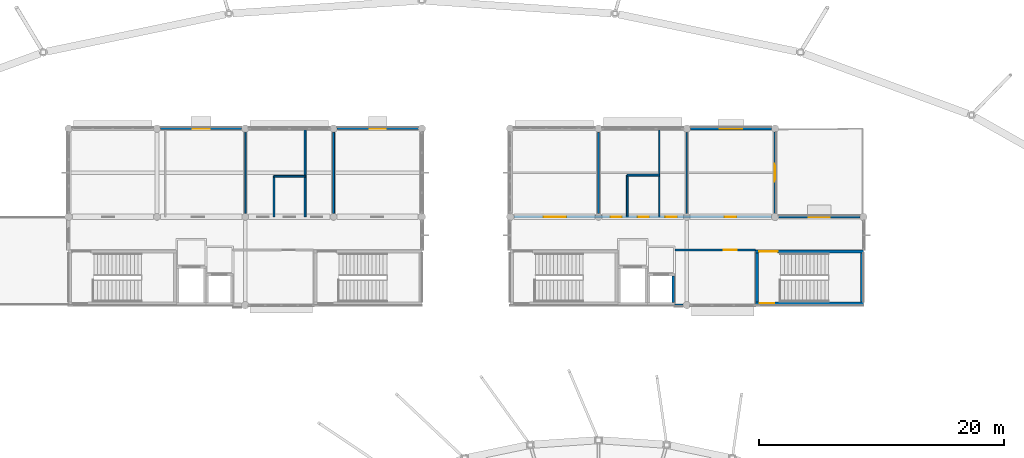
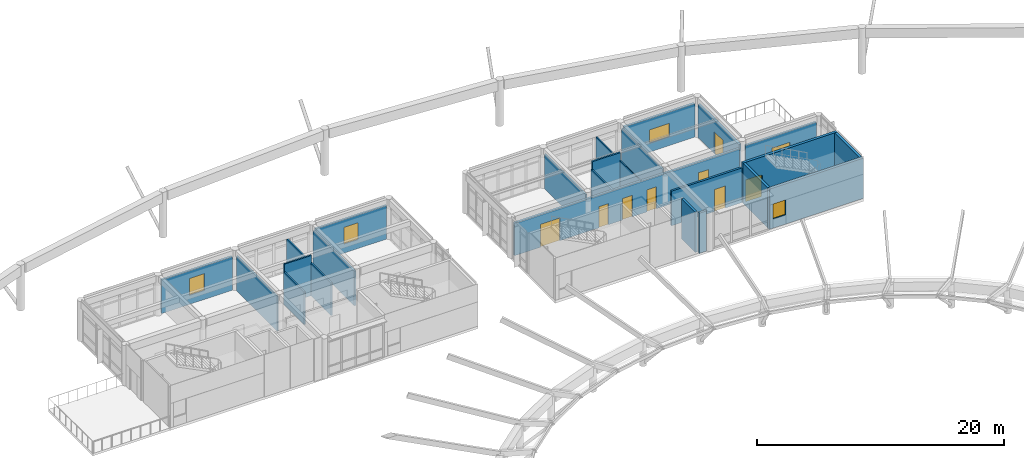
# One storey, part 25 of 37: 23 walls, 8 doors, 5 windows, 13 openings.
"""IFC4 building model written with IfcOpenShell, lengths in metres."""

from ifc_helpers import new_model, si_unit, direction, frame, frame_2d, origin, place, context, subcontext, project, spatial, rectangle, extrude, material, layer, layer_set, type_object, element, fill, save


model = new_model("IFC4")

# Units and contexts
model_context = context("Model", 3, precision=1e-05, world=origin(), true_north=direction((0.0, 1.0)))
body_context = subcontext(model_context, "Body", "Model", "MODEL_VIEW")
ifc_project = project(units=[si_unit("LENGTHUNIT", "METRE"), si_unit("AREAUNIT", "SQUARE_METRE"), si_unit("VOLUMEUNIT", "CUBIC_METRE"), si_unit("PLANEANGLEUNIT", "RADIAN"), si_unit("MASSUNIT", "GRAM", prefix="KILO")], contexts=[model_context])

# Site, building, storey
site_placement = place(None, origin())
site = spatial("IfcSite", under=ifc_project, at=site_placement, CompositionType="ELEMENT")
building_placement = place(site_placement, origin())
building = spatial("IfcBuilding", under=site, at=building_placement, Name="Namkhue Oval Health Centre", CompositionType="ELEMENT")
storey_placement = place(building_placement, frame((0.0, 0.0, 22.199951171875)))
storey = spatial("IfcBuildingStorey", under=building, at=storey_placement, Name="L05", CompositionType="ELEMENT", Elevation=22.199951171875)

# Wall, opening, window
ifc_material_1 = material(Name="Autoclaved aerated concrete blockwork M7.5", Category="masonry")
ifc_layer_1 = layer(ifc_material_1, 0.179931640625)
ifc_layer_set_1 = layer_set([ifc_layer_1], Name="Autoclaved aerated concrete blockwork M7.5")
wall_type_1 = type_object("IfcWallType", Name="EXTERIOR ENVELOPE WALL 180", PredefinedType="STANDARD", material=ifc_layer_set_1)
wall_1_placement = place(storey_placement, frame((86.10498046875, 104.39990234375, 0.0), z_axis=(0.0, 0.0, 1.0), x_axis=(-1.0, 0.0, 0.0)))
wall_1 = element("IfcWall", 1, at=wall_1_placement, inside=storey, type_object=wall_type_1, Name="Volume V2 L05 Exterior Envelope Wall 49", PredefinedType="STANDARD", context=body_context, shape_type="SweptSolid", body=[
    extrude(rectangle(XDim=6.60986328125, YDim=0.179931640625, at=frame_2d((3.304931640625, 0.0))), origin(), (0.0, 0.0, 1.0), 3.324951171875),
])
opening_1_placement = place(wall_1_placement, frame((2.655029296875, 0.0, 0.89990234375)))
opening_1 = element("IfcOpeningElement", 2, at=opening_1_placement, cuts=wall_1, Name="Opening WN-32", PredefinedType="OPENING", context=body_context, shape_type="SweptSolid", body=[
    extrude(rectangle(XDim=1.300048828125, YDim=1.659912109375, at=frame_2d((0.64990234375, 0.830078125))), frame((0.0, 0.099853515625, 0.0), z_axis=(0.0, -1.0, 0.0), x_axis=(1.0, 0.0, 0.0)), (0.0, 0.0, 1.0), 0.199951171875),
])
ifc_material_2 = material(Name="Thermally broken low-E laminated double glazing", Category="glass")
window_type_1 = type_object("IfcWindowType", Name="EXTERIOR WINDOW 1300X1660", PartitioningType="SINGLE_PANEL", PredefinedType="WINDOW", material=ifc_material_2)
window_1_placement = place(opening_1_placement, origin())
window_1 = element("IfcWindow", 3, at=window_1_placement, inside=storey, type_object=window_type_1, Name="Volume V2 L05 Exterior Window 32", OverallHeight=1.659912109375, OverallWidth=1.300048828125, PartitioningType="SINGLE_PANEL", PredefinedType="WINDOW", context=body_context, shape_type="SweptSolid", body=[
    extrude(rectangle(XDim=1.300048828125, YDim=1.659912109375, at=frame_2d((0.64990234375, 0.830078125))), frame((0.0, 0.030029296875, 0.0), z_axis=(0.0, -1.0, 0.0), x_axis=(1.0, 0.0, 0.0)), (0.0, 0.0, 1.0), 0.06005859375),
])
fill(opening_1, window_1)

# Wall
wall_2_placement = place(storey_placement, frame((107.001953125, 90.0, 0.0), z_axis=(0.0, 0.0, 1.0), x_axis=(1.0, 0.0, 0.0)))
element("IfcWall", 4, at=wall_2_placement, inside=storey, type_object=wall_type_1, Name="Volume V3 L05 Exterior Envelope Wall 81", PredefinedType="STANDARD", context=body_context, shape_type="SweptSolid", body=[
    extrude(rectangle(XDim=0.703125, YDim=0.179931640625, at=frame_2d((0.3515625, 0.0))), origin(), (0.0, 0.0, 1.0), 3.969970703125),
])

# Wall, opening, window
ifc_layer_2 = layer(ifc_material_1, 0.18994140625)
ifc_layer_set_2 = layer_set([ifc_layer_2], Name="Autoclaved aerated concrete blockwork M7.5")
wall_type_2 = type_object("IfcWallType", Name="EXTERIOR ENVELOPE WALL 190", PredefinedType="STANDARD", material=ifc_layer_set_2)
wall_3_placement = place(storey_placement, frame((71.705078125, 104.39990234375, 0.0), z_axis=(0.0, 0.0, 1.0), x_axis=(-1.0, 0.0, 0.0)))
wall_3 = element("IfcWall", 5, at=wall_3_placement, inside=storey, type_object=wall_type_2, Name="Volume V2 L05 Exterior Envelope Wall 50", PredefinedType="STANDARD", context=body_context, shape_type="SweptSolid", body=[
    extrude(rectangle(XDim=6.610107421875, YDim=0.18994140625, at=frame_2d((3.30517578125, 0.0))), origin(), (0.0, 0.0, 1.0), 3.324951171875),
])
opening_2_placement = place(wall_3_placement, frame((2.60498046875, 0.0, 0.89990234375)))
opening_2 = element("IfcOpeningElement", 6, at=opening_2_placement, cuts=wall_3, Name="Opening WN-33", PredefinedType="OPENING", context=body_context, shape_type="SweptSolid", body=[
    extrude(rectangle(XDim=1.39990234375, YDim=1.659912109375, at=frame_2d((0.699951171875, 0.830078125))), frame((0.0, 0.10498046875, 0.0), z_axis=(0.0, -1.0, 0.0), x_axis=(1.0, 0.0, 0.0)), (0.0, 0.0, 1.0), 0.2099609375),
])
window_type_2 = type_object("IfcWindowType", Name="EXTERIOR WINDOW 1400X1660", PartitioningType="SINGLE_PANEL", PredefinedType="WINDOW", material=ifc_material_2)
window_2_placement = place(opening_2_placement, origin())
window_2 = element("IfcWindow", 7, at=window_2_placement, inside=storey, type_object=window_type_2, Name="Volume V2 L05 Exterior Window 33", OverallHeight=1.659912109375, OverallWidth=1.39990234375, PartitioningType="SINGLE_PANEL", PredefinedType="WINDOW", context=body_context, shape_type="SweptSolid", body=[
    extrude(rectangle(XDim=1.39990234375, YDim=1.659912109375, at=frame_2d((0.699951171875, 0.830078125))), frame((0.0, 0.030029296875, 0.0), z_axis=(0.0, -1.0, 0.0), x_axis=(1.0, 0.0, 0.0)), (0.0, 0.0, 1.0), 0.06005859375),
])
fill(opening_2, window_2)

wall_4_placement = place(storey_placement, frame((122.10498046875, 97.199951171875, 0.0), z_axis=(0.0, 0.0, 1.0), x_axis=(-1.0, 0.0, 0.0)))
wall_4 = element("IfcWall", 8, at=wall_4_placement, inside=storey, type_object=wall_type_2, Name="Volume V3 L05 Exterior Envelope Wall 82", PredefinedType="STANDARD", context=body_context, shape_type="SweptSolid", body=[
    extrude(rectangle(XDim=6.60986328125, YDim=0.18994140625, at=frame_2d((3.304931640625, 0.0))), origin(), (0.0, 0.0, 1.0), 3.320068359375),
])
opening_3_placement = place(wall_4_placement, frame((2.455078125, 0.0, 0.89990234375)))
opening_3 = element("IfcOpeningElement", 9, at=opening_3_placement, cuts=wall_4, Name="Opening WN-08", PredefinedType="OPENING", context=body_context, shape_type="SweptSolid", body=[
    extrude(rectangle(XDim=1.699951171875, YDim=1.300048828125, at=frame_2d((0.85009765625, 0.64990234375))), frame((0.0, 0.10498046875, 0.0), z_axis=(0.0, -1.0, 0.0), x_axis=(1.0, 0.0, 0.0)), (0.0, 0.0, 1.0), 0.2099609375),
])
window_type_3 = type_object("IfcWindowType", Name="EXTERIOR WINDOW 1700X1300", PartitioningType="SINGLE_PANEL", PredefinedType="WINDOW", material=ifc_material_2)
window_3_placement = place(opening_3_placement, origin())
window_3 = element("IfcWindow", 10, at=window_3_placement, inside=storey, type_object=window_type_3, Name="Volume V3 L05 Exterior Window 53", OverallHeight=1.300048828125, OverallWidth=1.699951171875, PartitioningType="SINGLE_PANEL", PredefinedType="WINDOW", context=body_context, shape_type="SweptSolid", body=[
    extrude(rectangle(XDim=1.699951171875, YDim=1.300048828125, at=frame_2d((0.85009765625, 0.64990234375))), frame((0.0, 0.030029296875, 0.0), z_axis=(0.0, -1.0, 0.0), x_axis=(1.0, 0.0, 0.0)), (0.0, 0.0, 1.0), 0.06005859375),
])
fill(opening_3, window_3)

# Wall, opening, door
ifc_layer_3 = layer(ifc_material_1, 0.199951171875)
ifc_layer_set_3 = layer_set([ifc_layer_3], Name="Autoclaved aerated concrete blockwork M7.5")
wall_type_3 = type_object("IfcWallType", Name="EXTERIOR ENVELOPE WALL 200", PredefinedType="STANDARD", material=ifc_layer_set_3)
wall_5_placement = place(storey_placement, frame((115.199951171875, 97.4951171875, 0.0), z_axis=(0.0, 0.0, 1.0), x_axis=(0.0, 1.0, 0.0)))
wall_5 = element("IfcWall", 11, at=wall_5_placement, inside=storey, type_object=wall_type_3, Name="Volume V3 L05 Exterior Envelope Wall 83", PredefinedType="STANDARD", context=body_context, shape_type="SweptSolid", body=[
    extrude(rectangle(XDim=6.60986328125, YDim=0.199951171875, at=frame_2d((3.304931640625, 0.0))), origin(), (0.0, 0.0, 1.0), 3.320068359375),
])
opening_4_placement = place(wall_5_placement, frame((2.5849609375, 0.0, 0.0)))
opening_4 = element("IfcOpeningElement", 12, at=opening_4_placement, cuts=wall_5, Name="Opening TD-01", PredefinedType="OPENING", context=body_context, shape_type="SweptSolid", body=[
    extrude(rectangle(XDim=1.43994140625, YDim=2.159912109375, at=frame_2d((0.719970703125, 1.080078125))), frame((0.0, 0.10986328125, 0.0), z_axis=(0.0, -1.0, 0.0), x_axis=(1.0, 0.0, 0.0)), (0.0, 0.0, 1.0), 0.219970703125),
])
ifc_material_3 = material(Name="Anodised aluminium glazed entrance door", Category="aluminium")
door_type_1 = type_object("IfcDoorType", Name="TERRACE DOOR 1440X2160", OperationType="DOUBLE_DOOR_SINGLE_SWING", PredefinedType="DOOR", material=ifc_material_3)
door_1_placement = place(opening_4_placement, frame((1.43994140625, 0.0, 0.0), z_axis=(0.0, 0.0, 1.0), x_axis=(-1.0, 0.0, 0.0)))
door_1 = element("IfcDoor", 13, at=door_1_placement, inside=storey, type_object=door_type_1, Name="Volume V3 L05 Roof Terrace Door 8", OperationType="DOUBLE_DOOR_SINGLE_SWING", OverallHeight=2.159912109375, OverallWidth=1.43994140625, PredefinedType="DOOR", context=body_context, shape_type="SweptSolid", body=[
    extrude(rectangle(XDim=1.43994140625, YDim=2.159912109375, at=frame_2d((0.719970703125, 1.080078125))), frame((0.0, 0.02490234375, 0.0), z_axis=(0.0, -1.0, 0.0), x_axis=(1.0, 0.0, 0.0)), (0.0, 0.0, 1.0), 0.050048828125),
])
fill(opening_4, door_1)

# Wall, opening, window
ifc_layer_4 = layer(ifc_material_1, 0.2099609375)
ifc_layer_set_4 = layer_set([ifc_layer_4], Name="Autoclaved aerated concrete blockwork M7.5")
wall_type_4 = type_object("IfcWallType", Name="EXTERIOR ENVELOPE WALL 210", PredefinedType="STANDARD", material=ifc_layer_set_4)
wall_6_placement = place(storey_placement, frame((114.905029296875, 104.39990234375, 0.0), z_axis=(0.0, 0.0, 1.0), x_axis=(-1.0, 0.0, 0.0)))
wall_6 = element("IfcWall", 14, at=wall_6_placement, inside=storey, type_object=wall_type_4, Name="Volume V3 L05 Exterior Envelope Wall 84", PredefinedType="STANDARD", context=body_context, shape_type="SweptSolid", body=[
    extrude(rectangle(XDim=6.610107421875, YDim=0.2099609375, at=frame_2d((3.30517578125, 0.0))), origin(), (0.0, 0.0, 1.0), 3.320068359375),
])
opening_5_placement = place(wall_6_placement, frame((2.3798828125, 0.0, 0.89990234375)))
opening_5 = element("IfcOpeningElement", 15, at=opening_5_placement, cuts=wall_6, Name="Opening WN-09", PredefinedType="OPENING", context=body_context, shape_type="SweptSolid", body=[
    extrude(rectangle(XDim=1.85009765625, YDim=1.300048828125, at=frame_2d((0.925048828125, 0.64990234375))), frame((0.0, 0.114990234375, 0.0), z_axis=(0.0, -1.0, 0.0), x_axis=(1.0, 0.0, 0.0)), (0.0, 0.0, 1.0), 0.22998046875),
])
window_type_4 = type_object("IfcWindowType", Name="EXTERIOR WINDOW 1850X1300", PartitioningType="SINGLE_PANEL", PredefinedType="WINDOW", material=ifc_material_2)
window_4_placement = place(opening_5_placement, origin())
window_4 = element("IfcWindow", 16, at=window_4_placement, inside=storey, type_object=window_type_4, Name="Volume V3 L05 Exterior Window 54", OverallHeight=1.300048828125, OverallWidth=1.85009765625, PartitioningType="SINGLE_PANEL", PredefinedType="WINDOW", context=body_context, shape_type="SweptSolid", body=[
    extrude(rectangle(XDim=1.85009765625, YDim=1.300048828125, at=frame_2d((0.925048828125, 0.64990234375))), frame((0.0, 0.030029296875, 0.0), z_axis=(0.0, -1.0, 0.0), x_axis=(1.0, 0.0, 0.0)), (0.0, 0.0, 1.0), 0.06005859375),
])
fill(opening_5, window_4)

# Wall, opening, door
ifc_material_4 = material(Name="Gypsum plasterboard acoustic partition", Category="gypsum")
ifc_layer_5 = layer(ifc_material_4, 0.195068359375)
ifc_layer_set_5 = layer_set([ifc_layer_5], Name="Gypsum plasterboard acoustic partition")
wall_type_5 = type_object("IfcWallType", Name="FIRE PARTITION WALL 195", PredefinedType="PARTITIONING", material=ifc_layer_set_5)
wall_7_placement = place(storey_placement, frame((107.02001953125, 94.5, 0.0), z_axis=(0.0, 0.0, 1.0), x_axis=(1.0, 0.0, 0.0)))
wall_7 = element("IfcWall", 17, at=wall_7_placement, inside=storey, type_object=wall_type_5, Name="Volume V3 L05 Clinical Partition Wall 157", PredefinedType="PARTITIONING", context=body_context, shape_type="SweptSolid", body=[
    extrude(rectangle(XDim=6.56005859375, YDim=0.195068359375, at=frame_2d((3.280029296875, 0.0))), origin(), (0.0, 0.0, 1.0), 3.420166015625),
])
opening_6_placement = place(wall_7_placement, frame((4.0048828125, 0.0, 0.0)))
opening_6 = element("IfcOpeningElement", 18, at=opening_6_placement, cuts=wall_7, Name="Opening CD-15", PredefinedType="OPENING", context=body_context, shape_type="SweptSolid", body=[
    extrude(rectangle(XDim=1.030029296875, YDim=2.179931640625, at=frame_2d((0.51513671875, 1.08984375))), frame((0.0, 0.107421875, 0.0), z_axis=(0.0, -1.0, 0.0), x_axis=(1.0, 0.0, 0.0)), (0.0, 0.0, 1.0), 0.215087890625),
])
ifc_material_5 = material(Name="High-pressure laminate timber clinical door", Category="wood")
door_type_2 = type_object("IfcDoorType", Name="CLINICAL DOOR 1030X2180", OperationType="NOTDEFINED", PredefinedType="DOOR", material=ifc_material_5)
door_2_placement = place(opening_6_placement, frame((1.030029296875, 0.0, 0.0), z_axis=(0.0, 0.0, 1.0), x_axis=(-1.0, 0.0, 0.0)))
door_2 = element("IfcDoor", 19, at=door_2_placement, inside=storey, type_object=door_type_2, Name="Volume V3 L05 Clinical Governance Boardroom Door 133", OperationType="SINGLE_SWING_LEFT", OverallHeight=2.179931640625, OverallWidth=1.030029296875, PredefinedType="DOOR", context=body_context, shape_type="SweptSolid", body=[
    extrude(rectangle(XDim=1.030029296875, YDim=2.179931640625, at=frame_2d((0.51513671875, 1.08984375))), frame((0.0, 0.02490234375, 0.0), z_axis=(0.0, -1.0, 0.0), x_axis=(1.0, 0.0, 0.0)), (0.0, 0.0, 1.0), 0.050048828125),
])
fill(opening_6, door_2)

# Wall, openings, doors
ifc_layer_6 = layer(ifc_material_4, 0.205078125)
ifc_layer_set_6 = layer_set([ifc_layer_6], Name="Gypsum plasterboard acoustic partition")
wall_type_6 = type_object("IfcWallType", Name="FIRE PARTITION WALL 205", PredefinedType="PARTITIONING", material=ifc_layer_set_6)
wall_8_placement = place(storey_placement, frame((93.89990234375, 97.199951171875, 0.0), z_axis=(0.0, 0.0, 1.0), x_axis=(1.0, 0.0, 0.0)))
wall_8 = element("IfcWall", 20, at=wall_8_placement, inside=storey, type_object=wall_type_6, Name="Volume V3 L05 Clinical Partition Wall 151", PredefinedType="PARTITIONING", context=body_context, shape_type="SweptSolid", body=[
    extrude(rectangle(XDim=21.0, YDim=0.205078125, at=frame_2d((10.5, 0.0))), origin(), (0.0, 0.0, 1.0), 3.219970703125),
])
opening_7_placement = place(wall_8_placement, frame((2.43310546875, 0.0, 0.0)))
opening_7 = element("IfcOpeningElement", 21, at=opening_7_placement, cuts=wall_8, Name="Opening CDD-08", PredefinedType="OPENING", context=body_context, shape_type="SweptSolid", body=[
    extrude(rectangle(XDim=1.820068359375, YDim=2.260009765625, at=frame_2d((0.91015625, 1.1298828125))), frame((0.0, 0.112548828125, 0.0), z_axis=(0.0, -1.0, 0.0), x_axis=(1.0, 0.0, 0.0)), (0.0, 0.0, 1.0), 0.22509765625),
])
opening_8_placement = place(wall_8_placement, frame((7.889892578125, 0.0, 0.0)))
opening_8 = element("IfcOpeningElement", 22, at=opening_8_placement, cuts=wall_8, Name="Opening CD-01", PredefinedType="OPENING", context=body_context, shape_type="SweptSolid", body=[
    extrude(rectangle(XDim=0.89990234375, YDim=2.080078125, at=frame_2d((0.449951171875, 1.0400390625))), frame((0.0, 0.112548828125, 0.0), z_axis=(0.0, -1.0, 0.0), x_axis=(1.0, 0.0, 0.0)), (0.0, 0.0, 1.0), 0.22509765625),
])
opening_9_placement = place(wall_8_placement, frame((10.10009765625, 0.0, 0.0)))
opening_9 = element("IfcOpeningElement", 23, at=opening_9_placement, cuts=wall_8, Name="Opening CD-07", PredefinedType="OPENING", context=body_context, shape_type="SweptSolid", body=[
    extrude(rectangle(XDim=0.89990234375, YDim=2.1298828125, at=frame_2d((0.449951171875, 1.06494140625))), frame((0.0, 0.112548828125, 0.0), z_axis=(0.0, -1.0, 0.0), x_axis=(1.0, 0.0, 0.0)), (0.0, 0.0, 1.0), 0.22509765625),
])
opening_10_placement = place(wall_8_placement, frame((12.360107421875, 0.0, 0.0)))
opening_10 = element("IfcOpeningElement", 24, at=opening_10_placement, cuts=wall_8, Name="Opening CD-13", PredefinedType="OPENING", context=body_context, shape_type="SweptSolid", body=[
    extrude(rectangle(XDim=0.919921875, YDim=2.179931640625, at=frame_2d((0.4599609375, 1.08984375))), frame((0.0, 0.112548828125, 0.0), z_axis=(0.0, -1.0, 0.0), x_axis=(1.0, 0.0, 0.0)), (0.0, 0.0, 1.0), 0.22509765625),
])
opening_11_placement = place(wall_8_placement, frame((17.173095703125, 0.0, 0.0)))
opening_11 = element("IfcOpeningElement", 25, at=opening_11_placement, cuts=wall_8, Name="Opening CD-14", PredefinedType="OPENING", context=body_context, shape_type="SweptSolid", body=[
    extrude(rectangle(XDim=0.969970703125, YDim=2.179931640625, at=frame_2d((0.48486328125, 1.08984375))), frame((0.0, 0.112548828125, 0.0), z_axis=(0.0, -1.0, 0.0), x_axis=(1.0, 0.0, 0.0)), (0.0, 0.0, 1.0), 0.22509765625),
])
door_type_3 = type_object("IfcDoorType", Name="CLINICAL DOOR 900X2080", OperationType="NOTDEFINED", PredefinedType="DOOR", material=ifc_material_5)
door_3_placement = place(opening_8_placement, origin())
door_3 = element("IfcDoor", 26, at=door_3_placement, inside=storey, type_object=door_type_3, Name="Volume V3 L05 Clinical Governance Archive Room Door 129", OperationType="SINGLE_SWING_RIGHT", OverallHeight=2.080078125, OverallWidth=0.89990234375, PredefinedType="DOOR", context=body_context, shape_type="SweptSolid", body=[
    extrude(rectangle(XDim=0.89990234375, YDim=2.080078125, at=frame_2d((0.449951171875, 1.0400390625))), frame((0.0, 0.02490234375, 0.0), z_axis=(0.0, -1.0, 0.0), x_axis=(1.0, 0.0, 0.0)), (0.0, 0.0, 1.0), 0.050048828125),
])
fill(opening_8, door_3)
door_type_4 = type_object("IfcDoorType", Name="CLINICAL DOOR 900X2130", OperationType="NOTDEFINED", PredefinedType="DOOR", material=ifc_material_5)
door_4_placement = place(opening_9_placement, origin())
door_4 = element("IfcDoor", 27, at=door_4_placement, inside=storey, type_object=door_type_4, Name="Volume V3 L05 Accessible WC Door 130", OperationType="SINGLE_SWING_RIGHT", OverallHeight=2.1298828125, OverallWidth=0.89990234375, PredefinedType="DOOR", context=body_context, shape_type="SweptSolid", body=[
    extrude(rectangle(XDim=0.89990234375, YDim=2.1298828125, at=frame_2d((0.449951171875, 1.06494140625))), frame((0.0, 0.02490234375, 0.0), z_axis=(0.0, -1.0, 0.0), x_axis=(1.0, 0.0, 0.0)), (0.0, 0.0, 1.0), 0.050048828125),
])
fill(opening_9, door_4)
door_type_5 = type_object("IfcDoorType", Name="CLINICAL DOOR 920X2180", OperationType="NOTDEFINED", PredefinedType="DOOR", material=ifc_material_5)
door_5_placement = place(opening_10_placement, origin())
door_5 = element("IfcDoor", 28, at=door_5_placement, inside=storey, type_object=door_type_5, Name="Volume V3 L05 Public Washroom Door 131", OperationType="SINGLE_SWING_LEFT", OverallHeight=2.179931640625, OverallWidth=0.919921875, PredefinedType="DOOR", context=body_context, shape_type="SweptSolid", body=[
    extrude(rectangle(XDim=0.919921875, YDim=2.179931640625, at=frame_2d((0.4599609375, 1.08984375))), frame((0.0, 0.02490234375, 0.0), z_axis=(0.0, -1.0, 0.0), x_axis=(1.0, 0.0, 0.0)), (0.0, 0.0, 1.0), 0.050048828125),
])
fill(opening_10, door_5)
door_type_6 = type_object("IfcDoorType", Name="CLINICAL DOOR 970X2180", OperationType="NOTDEFINED", PredefinedType="DOOR", material=ifc_material_5)
door_6_placement = place(opening_11_placement, origin())
door_6 = element("IfcDoor", 29, at=door_6_placement, inside=storey, type_object=door_type_6, Name="Volume V3 L05 Medical Records Archive Store Door 132", OperationType="SINGLE_SWING_RIGHT", OverallHeight=2.179931640625, OverallWidth=0.969970703125, PredefinedType="DOOR", context=body_context, shape_type="SweptSolid", body=[
    extrude(rectangle(XDim=0.969970703125, YDim=2.179931640625, at=frame_2d((0.48486328125, 1.08984375))), frame((0.0, 0.02490234375, 0.0), z_axis=(0.0, -1.0, 0.0), x_axis=(1.0, 0.0, 0.0)), (0.0, 0.0, 1.0), 0.050048828125),
])
fill(opening_11, door_6)
ifc_material_6 = material(Name="Powder-coated steel fire door assembly", Category="steel")
door_type_7 = type_object("IfcDoorType", Name="CLINICAL DOOR DOUBLE 1820X2260", OperationType="DOUBLE_DOOR_SINGLE_SWING", PredefinedType="DOOR", material=ifc_material_6)
door_7_placement = place(opening_7_placement, origin())
door_7 = element("IfcDoor", 30, at=door_7_placement, inside=storey, type_object=door_type_7, Name="Volume V3 L05 Community Health Education Hall Door 128", OperationType="DOUBLE_DOOR_SINGLE_SWING", OverallHeight=2.260009765625, OverallWidth=1.820068359375, PredefinedType="DOOR", context=body_context, shape_type="SweptSolid", body=[
    extrude(rectangle(XDim=1.820068359375, YDim=2.260009765625, at=frame_2d((0.91015625, 1.1298828125))), frame((0.0, 0.02490234375, 0.0), z_axis=(0.0, -1.0, 0.0), x_axis=(1.0, 0.0, 0.0)), (0.0, 0.0, 1.0), 0.050048828125),
])
fill(opening_7, door_7)

# Walls
ifc_layer_7 = layer(ifc_material_4, 0.10009765625)
ifc_layer_set_7 = layer_set([ifc_layer_7], Name="Gypsum plasterboard acoustic partition")
wall_type_7 = type_object("IfcWallType", Name="INTERIOR PARTITION WALL 100", PredefinedType="PARTITIONING", material=ifc_layer_set_7)
wall_9_placement = place(storey_placement, frame((105.760009765625, 97.199951171875, 0.0), z_axis=(0.0, 0.0, 1.0), x_axis=(0.0, 1.0, 0.0)))
element("IfcWall", 31, at=wall_9_placement, inside=storey, type_object=wall_type_7, Name="Volume V3 L05 Clinical Partition Wall 155", PredefinedType="PARTITIONING", context=body_context, shape_type="SweptSolid", body=[
    extrude(rectangle(XDim=7.16015625, YDim=0.10009765625, at=frame_2d((3.580078125, 0.0))), origin(), (0.0, 0.0, 1.0), 3.219970703125),
])
ifc_layer_8 = layer(ifc_material_4, 0.110107421875)
ifc_layer_set_8 = layer_set([ifc_layer_8], Name="Gypsum plasterboard acoustic partition")
wall_type_8 = type_object("IfcWallType", Name="INTERIOR PARTITION WALL 110", PredefinedType="PARTITIONING", material=ifc_layer_set_8)
wall_10_placement = place(storey_placement, frame((108.0, 97.47509765625, 0.0), z_axis=(0.0, 0.0, 1.0), x_axis=(0.0, 1.0, 0.0)))
element("IfcWall", 32, at=wall_10_placement, inside=storey, type_object=wall_type_8, Name="Volume V3 L05 Clinical Partition Wall 156", PredefinedType="PARTITIONING", context=body_context, shape_type="SweptSolid", body=[
    extrude(rectangle(XDim=6.625, YDim=0.110107421875, at=frame_2d((3.3125, 0.0))), origin(), (0.0, 0.0, 1.0), 3.420166015625),
])
ifc_layer_9 = layer(ifc_material_4, 0.1201171875)
ifc_layer_set_9 = layer_set([ifc_layer_9], Name="Gypsum plasterboard acoustic partition")
wall_type_9 = type_object("IfcWallType", Name="INTERIOR PARTITION WALL 120", PredefinedType="PARTITIONING", material=ifc_layer_set_9)
wall_11_placement = place(storey_placement, frame((72.0, 97.47509765625, 0.0), z_axis=(0.0, 0.0, 1.0), x_axis=(0.0, 1.0, 0.0)))
element("IfcWall", 33, at=wall_11_placement, inside=storey, type_object=wall_type_9, Name="Volume V2 L05 Clinical Partition Wall 94", PredefinedType="PARTITIONING", context=body_context, shape_type="SweptSolid", body=[
    extrude(rectangle(XDim=6.625, YDim=0.1201171875, at=frame_2d((3.3125, 0.0))), origin(), (0.0, 0.0, 1.0), 3.425048828125),
])
ifc_layer_10 = layer(ifc_material_4, 0.1298828125)
ifc_layer_set_10 = layer_set([ifc_layer_10], Name="Gypsum plasterboard acoustic partition")
wall_type_10 = type_object("IfcWallType", Name="INTERIOR PARTITION WALL 130", PredefinedType="PARTITIONING", material=ifc_layer_set_10)
wall_12_placement = place(storey_placement, frame((74.340087890625, 97.199951171875, 0.0), z_axis=(0.0, 0.0, 1.0), x_axis=(0.0, 1.0, 0.0)))
element("IfcWall", 34, at=wall_12_placement, inside=storey, type_object=wall_type_10, Name="Volume V2 L05 Clinical Partition Wall 95", PredefinedType="PARTITIONING", context=body_context, shape_type="SweptSolid", body=[
    extrude(rectangle(XDim=3.320068359375, YDim=0.1298828125, at=frame_2d((1.66015625, 0.0))), origin(), (0.0, 0.0, 1.0), 3.22509765625),
])
ifc_layer_11 = layer(ifc_material_4, 0.139892578125)
ifc_layer_set_11 = layer_set([ifc_layer_11], Name="Gypsum plasterboard acoustic partition")
wall_type_11 = type_object("IfcWallType", Name="INTERIOR PARTITION WALL 140", PredefinedType="PARTITIONING", material=ifc_layer_set_11)
wall_13_placement = place(storey_placement, frame((74.340087890625, 100.52001953125, 0.0), z_axis=(0.0, 0.0, 1.0), x_axis=(1.0, 0.0, 0.0)))
element("IfcWall", 35, at=wall_13_placement, inside=storey, type_object=wall_type_11, Name="Volume V2 L05 Clinical Partition Wall 96", PredefinedType="PARTITIONING", context=body_context, shape_type="SweptSolid", body=[
    extrude(rectangle(XDim=2.539794921875, YDim=0.139892578125, at=frame_2d((1.27001953125, 0.0))), origin(), (0.0, 0.0, 1.0), 3.97509765625),
])
wall_14_placement = place(storey_placement, frame((100.800048828125, 97.47509765625, 0.0), z_axis=(0.0, 0.0, 1.0), x_axis=(0.0, 1.0, 0.0)))
element("IfcWall", 36, at=wall_14_placement, inside=storey, type_object=wall_type_11, Name="Volume V3 L05 Clinical Partition Wall 152", PredefinedType="PARTITIONING", context=body_context, shape_type="SweptSolid", body=[
    extrude(rectangle(XDim=6.625, YDim=0.139892578125, at=frame_2d((3.3125, 0.0))), origin(), (0.0, 0.0, 1.0), 3.420166015625),
])
ifc_layer_12 = layer(ifc_material_4, 0.14990234375)
ifc_layer_set_12 = layer_set([ifc_layer_12], Name="Gypsum plasterboard acoustic partition")
wall_type_12 = type_object("IfcWallType", Name="INTERIOR PARTITION WALL 150", PredefinedType="PARTITIONING", material=ifc_layer_set_12)
wall_15_placement = place(storey_placement, frame((76.8798828125, 97.199951171875, 0.0), z_axis=(0.0, 0.0, 1.0), x_axis=(0.0, 1.0, 0.0)))
element("IfcWall", 37, at=wall_15_placement, inside=storey, type_object=wall_type_12, Name="Volume V2 L05 Clinical Partition Wall 97", PredefinedType="PARTITIONING", context=body_context, shape_type="SweptSolid", body=[
    extrude(rectangle(XDim=7.16015625, YDim=0.14990234375, at=frame_2d((3.580078125, 0.0))), origin(), (0.0, 0.0, 1.0), 3.22509765625),
])
wall_16_placement = place(storey_placement, frame((103.139892578125, 97.199951171875, 0.0), z_axis=(0.0, 0.0, 1.0), x_axis=(0.0, 1.0, 0.0)))
element("IfcWall", 38, at=wall_16_placement, inside=storey, type_object=wall_type_12, Name="Volume V3 L05 Clinical Partition Wall 153", PredefinedType="PARTITIONING", context=body_context, shape_type="SweptSolid", body=[
    extrude(rectangle(XDim=3.400146484375, YDim=0.14990234375, at=frame_2d((1.7001953125, 0.0))), origin(), (0.0, 0.0, 1.0), 3.219970703125),
])
ifc_layer_13 = layer(ifc_material_4, 0.159912109375)
ifc_layer_set_13 = layer_set([ifc_layer_13], Name="Gypsum plasterboard acoustic partition")
wall_type_13 = type_object("IfcWallType", Name="INTERIOR PARTITION WALL 160", PredefinedType="PARTITIONING", material=ifc_layer_set_13)
wall_17_placement = place(storey_placement, frame((79.199951171875, 97.47509765625, 0.0), z_axis=(0.0, 0.0, 1.0), x_axis=(0.0, 1.0, 0.0)))
element("IfcWall", 39, at=wall_17_placement, inside=storey, type_object=wall_type_13, Name="Volume V2 L05 Clinical Partition Wall 98", PredefinedType="PARTITIONING", context=body_context, shape_type="SweptSolid", body=[
    extrude(rectangle(XDim=6.625, YDim=0.159912109375, at=frame_2d((3.3125, 0.0))), origin(), (0.0, 0.0, 1.0), 3.425048828125),
])
wall_18_placement = place(storey_placement, frame((103.139892578125, 100.60009765625, 0.0), z_axis=(0.0, 0.0, 1.0), x_axis=(1.0, 0.0, 0.0)))
element("IfcWall", 40, at=wall_18_placement, inside=storey, type_object=wall_type_13, Name="Volume V3 L05 Clinical Partition Wall 154", PredefinedType="PARTITIONING", context=body_context, shape_type="SweptSolid", body=[
    extrude(rectangle(XDim=2.6201171875, YDim=0.159912109375, at=frame_2d((1.31005859375, 0.0))), origin(), (0.0, 0.0, 1.0), 3.969970703125),
])

# Wall, opening, window
ifc_material_7 = material(Name="Reinforced concrete C35/45 (TCVN B40)", Category="concrete")
ifc_layer_14 = layer(ifc_material_7, 0.25)
ifc_layer_set_14 = layer_set([ifc_layer_14], Name="Reinforced concrete C35/45 (TCVN B40)")
wall_type_14 = type_object("IfcWallType", Name="SHEAR CORE WALL EXT 250", PredefinedType="SHEAR", material=ifc_layer_set_14)
wall_19_placement = place(storey_placement, frame((113.60009765625, 90.125, 0.0), z_axis=(0.0, 0.0, 1.0), x_axis=(1.0, 0.0, 0.0)))
wall_19 = element("IfcWall", 41, at=wall_19_placement, inside=storey, type_object=wall_type_14, Name="Core SC-06 L05 Shear Wall S", PredefinedType="SHEAR", context=body_context, shape_type="SweptSolid", body=[
    extrude(rectangle(XDim=8.7998046875, YDim=0.25, at=frame_2d((4.39990234375, 0.0))), origin(), (0.0, 0.0, 1.0), 3.969970703125),
])
opening_12_placement = place(wall_19_placement, frame((0.35009765625, 0.0, 0.919921875)))
opening_12 = element("IfcOpeningElement", 42, at=opening_12_placement, cuts=wall_19, Name="Opening SWN-01", PredefinedType="OPENING", context=body_context, shape_type="SweptSolid", body=[
    extrude(rectangle(XDim=1.179931640625, YDim=1.47998046875, at=frame_2d((0.58984375, 0.739990234375))), frame((0.0, 0.135009765625, 0.0), z_axis=(0.0, -1.0, 0.0), x_axis=(1.0, 0.0, 0.0)), (0.0, 0.0, 1.0), 0.27001953125),
])
ifc_material_8 = material(Name="Fire-rated insulated safety double glazing", Category="glass")
window_type_5 = type_object("IfcWindowType", Name="EXTERIOR WINDOW STAIRWELL 1180X1480", PartitioningType="SINGLE_PANEL", PredefinedType="WINDOW", material=ifc_material_8)
window_5_placement = place(opening_12_placement, origin())
window_5 = element("IfcWindow", 43, at=window_5_placement, inside=storey, type_object=window_type_5, Name="Stair ST-06 L05 Stairwell Daylight Window", OverallHeight=1.47998046875, OverallWidth=1.179931640625, PartitioningType="SINGLE_PANEL", PredefinedType="WINDOW", context=body_context, shape_type="SweptSolid", body=[
    extrude(rectangle(XDim=1.179931640625, YDim=1.47998046875, at=frame_2d((0.58984375, 0.739990234375))), frame((0.0, 0.030029296875, 0.0), z_axis=(0.0, -1.0, 0.0), x_axis=(1.0, 0.0, 0.0)), (0.0, 0.0, 1.0), 0.06005859375),
])
fill(opening_12, window_5)

# Walls
wall_20_placement = place(storey_placement, frame((122.27490234375, 90.25, 0.0), z_axis=(0.0, 0.0, 1.0), x_axis=(0.0, 1.0, 0.0)))
element("IfcWall", 44, at=wall_20_placement, inside=storey, type_object=wall_type_14, Name="Core SC-06 L05 Shear Wall E", PredefinedType="SHEAR", context=body_context, shape_type="SweptSolid", body=[
    extrude(rectangle(XDim=4.0, YDim=0.25, at=frame_2d((2.0, 0.0))), origin(), (0.0, 0.0, 1.0), 3.969970703125),
])
ifc_layer_15 = layer(ifc_material_7, 0.199951171875)
ifc_layer_set_15 = layer_set([ifc_layer_15], Name="Reinforced concrete C35/45 (TCVN B40)")
wall_type_15 = type_object("IfcWallType", Name="SHEAR CORE WALL INT 200", PredefinedType="SHEAR", material=ifc_layer_set_15)
wall_21_placement = place(storey_placement, frame((106.89990234375, 90.199951171875, 0.0), z_axis=(0.0, 0.0, 1.0), x_axis=(0.0, 1.0, 0.0)))
element("IfcWall", 45, at=wall_21_placement, inside=storey, type_object=wall_type_15, Name="Lift LF-04 L05 Shaft Wall E", PredefinedType="SHEAR", context=body_context, shape_type="SweptSolid", body=[
    extrude(rectangle(XDim=2.199951171875, YDim=0.199951171875, at=frame_2d((1.10009765625, 0.0))), origin(), (0.0, 0.0, 1.0), 3.969970703125),
])

# Wall, opening, door
ifc_layer_16 = layer(ifc_material_7, 0.25)
ifc_layer_set_16 = layer_set([ifc_layer_16], Name="Reinforced concrete C35/45 (TCVN B40)")
wall_type_16 = type_object("IfcWallType", Name="SHEAR CORE WALL INT 250", PredefinedType="SHEAR", material=ifc_layer_set_16)
wall_22_placement = place(storey_placement, frame((122.39990234375, 94.375, 0.0), z_axis=(0.0, 0.0, 1.0), x_axis=(-1.0, 0.0, 0.0)))
wall_22 = element("IfcWall", 46, at=wall_22_placement, inside=storey, type_object=wall_type_16, Name="Core SC-06 L05 Shear Wall N", PredefinedType="SHEAR", context=body_context, shape_type="SweptSolid", body=[
    extrude(rectangle(XDim=8.7998046875, YDim=0.25, at=frame_2d((4.39990234375, 0.0))), origin(), (0.0, 0.0, 1.0), 3.969970703125),
])
opening_13_placement = place(wall_22_placement, frame((7.0, 0.0, 0.0)))
opening_13 = element("IfcOpeningElement", 47, at=opening_13_placement, cuts=wall_22, Name="Opening SD-I1", PredefinedType="OPENING", context=body_context, shape_type="SweptSolid", body=[
    extrude(rectangle(XDim=1.5, YDim=2.14990234375, at=frame_2d((0.75, 1.074951171875))), frame((0.0, 0.135009765625, 0.0), z_axis=(0.0, -1.0, 0.0), x_axis=(1.0, 0.0, 0.0)), (0.0, 0.0, 1.0), 0.27001953125),
])
door_type_8 = type_object("IfcDoorType", Name="CLINICAL DOOR STAIR CORE 1500X2150", OperationType="DOUBLE_DOOR_SINGLE_SWING", PredefinedType="DOOR", material=ifc_material_6)
door_8_placement = place(opening_13_placement, origin())
door_8 = element("IfcDoor", 48, at=door_8_placement, inside=storey, type_object=door_type_8, Name="Stair ST-06 L05 Stair Enclosure Fire Door", OperationType="DOUBLE_DOOR_SINGLE_SWING", OverallHeight=2.14990234375, OverallWidth=1.5, PredefinedType="DOOR", context=body_context, shape_type="SweptSolid", body=[
    extrude(rectangle(XDim=1.5, YDim=2.14990234375, at=frame_2d((0.75, 1.074951171875))), frame((0.0, 0.02490234375, 0.0), z_axis=(0.0, -1.0, 0.0), x_axis=(1.0, 0.0, 0.0)), (0.0, 0.0, 1.0), 0.050048828125),
])
fill(opening_13, door_8)

# Wall
wall_23_placement = place(storey_placement, frame((113.72509765625, 94.25, 0.0), z_axis=(0.0, 0.0, 1.0), x_axis=(0.0, -1.0, 0.0)))
element("IfcWall", 49, at=wall_23_placement, inside=storey, type_object=wall_type_16, Name="Core SC-06 L05 Shear Wall W", PredefinedType="SHEAR", context=body_context, shape_type="SweptSolid", body=[
    extrude(rectangle(XDim=4.0, YDim=0.25, at=frame_2d((2.0, 0.0))), origin(), (0.0, 0.0, 1.0), 3.969970703125),
])

save(model, "model.ifc")
